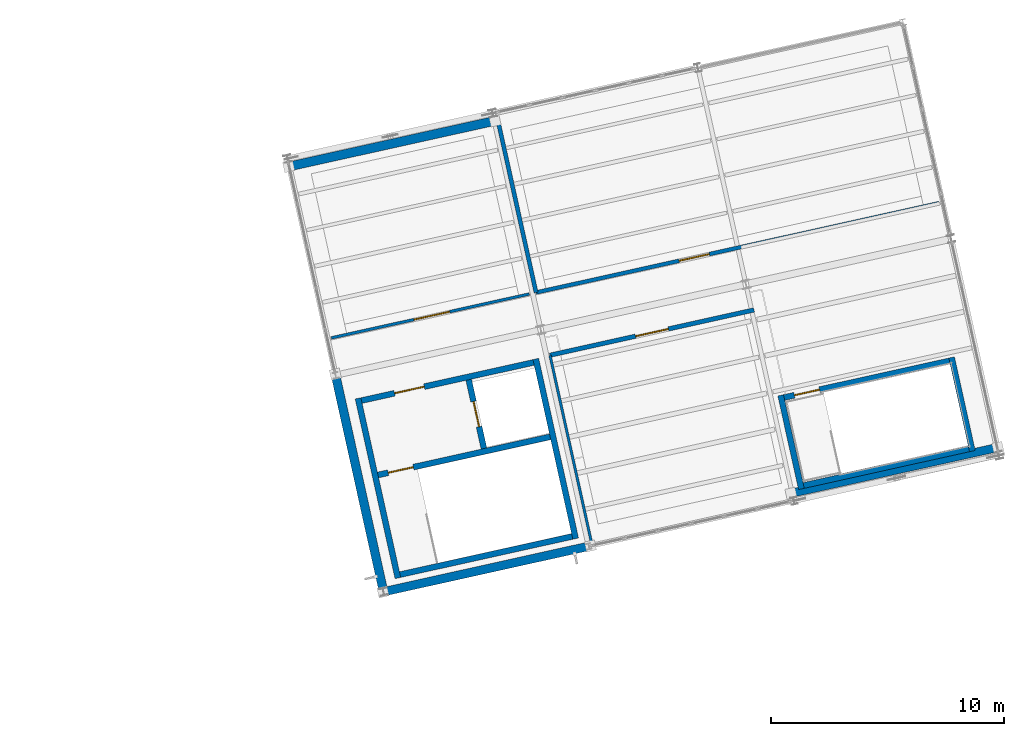
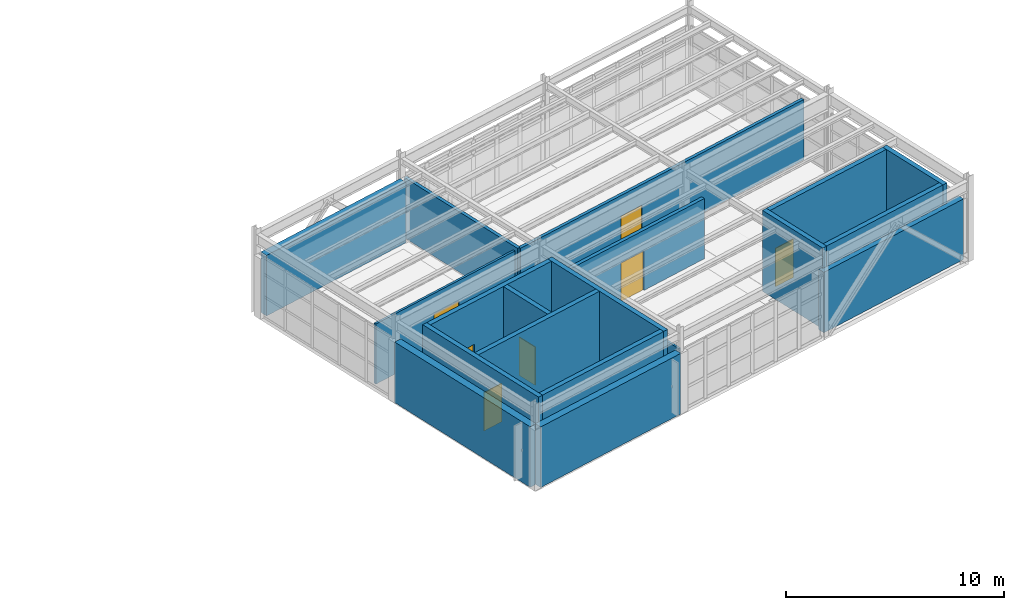
# One storey, part 49 of 59: 19 walls, 7 doors, 7 openings.
"""IFC4 building model written with IfcOpenShell, lengths in metres."""

from ifc_helpers import new_model, si_unit, direction, frame, frame_2d, origin, origin_with_axes, place, context, subcontext, project, spatial, rectangle, extrude, material, layer, layer_set, type_object, element, fill, save


model = new_model("IFC4")

# Units and contexts
model_context = context("Model", 3, precision=1e-05, world=origin(), true_north=direction((0.0, 1.0)))
body_context = subcontext(model_context, "Body", "Model", "MODEL_VIEW")
ifc_project = project(units=[si_unit("LENGTHUNIT", "METRE"), si_unit("AREAUNIT", "SQUARE_METRE"), si_unit("VOLUMEUNIT", "CUBIC_METRE"), si_unit("PLANEANGLEUNIT", "RADIAN"), si_unit("MASSUNIT", "GRAM", prefix="KILO")], contexts=[model_context])

# Site, building, storey
site_placement = place(None, origin())
site = spatial("IfcSite", under=ifc_project, at=site_placement, CompositionType="ELEMENT")
building_placement = place(site_placement, origin())
building = spatial("IfcBuilding", under=site, at=building_placement, Name="Vireo Bluff Cable Station", CompositionType="ELEMENT")
storey_placement = place(building_placement, frame((0.0, 0.0, 14.39990234375)))
storey = spatial("IfcBuildingStorey", under=building, at=storey_placement, Name="L03", CompositionType="ELEMENT", Elevation=14.39990234375)

# Walls
ifc_material_1 = material(Name="Precast concrete f'c 45 MPa", Category="concrete")
ifc_layer_1 = layer(ifc_material_1, 0.360107421875, Name="Precast concrete f'c 45 MPa")
ifc_layer_set_1 = layer_set([ifc_layer_1], Name="Precast concrete f'c 45 MPa")
wall_type_1 = type_object("IfcWallType", Name="EW-PRECAST-360", PredefinedType="SOLIDWALL", material=ifc_layer_set_1)
wall_1_placement = place(storey_placement, frame((158.864990234375, 91.364990234375, 0.0), z_axis=(0.0, 0.0, 1.0), x_axis=(-0.976293061479, -0.216452900438, 0.0)))
element("IfcWall", 1, at=wall_1_placement, inside=storey, type_object=wall_type_1, Name="V2 L03 south exterior wall 43", PredefinedType="SOLIDWALL", context=body_context, shape_type="SweptSolid", body=[
    extrude(rectangle(XDim=8.71533203125, YDim=0.360107421875, at=frame_2d((4.357666015625, 0.0))), origin(), (0.0, 0.0, 1.0), 3.400146484375),
])
ifc_layer_2 = layer(ifc_material_1, 0.3701171875, Name="Precast concrete f'c 45 MPa")
ifc_layer_set_2 = layer_set([ifc_layer_2], Name="Precast concrete f'c 45 MPa")
wall_type_2 = type_object("IfcWallType", Name="EW-PRECAST-370", PredefinedType="SOLIDWALL", material=ifc_layer_set_2)
wall_2_placement = place(storey_placement, frame((141.41552734375, 87.148193359375, 0.0), z_axis=(0.0, 0.0, 1.0), x_axis=(-0.976293402202, -0.21645136363, 0.0)))
element("IfcWall", 2, at=wall_2_placement, inside=storey, type_object=wall_type_2, Name="V2 L03 south exterior wall 44", PredefinedType="SOLIDWALL", context=body_context, shape_type="SweptSolid", body=[
    extrude(rectangle(XDim=8.741455078125, YDim=0.3701171875, at=frame_2d((4.37060546875, 0.0))), origin(), (0.0, 0.0, 1.0), 3.400146484375),
])
ifc_layer_3 = layer(ifc_material_1, 0.3798828125, Name="Precast concrete f'c 45 MPa")
ifc_layer_set_3 = layer_set([ifc_layer_3], Name="Precast concrete f'c 45 MPa")
wall_type_3 = type_object("IfcWallType", Name="EW-PRECAST-380", PredefinedType="SOLIDWALL", material=ifc_layer_set_3)
wall_3_placement = place(storey_placement, frame((132.69677734375, 85.37451171875, 0.0), z_axis=(0.0, 0.0, 1.0), x_axis=(-0.216439489459, 0.976296034716, 0.0)))
element("IfcWall", 3, at=wall_3_placement, inside=storey, type_object=wall_type_3, Name="V2 L03 west exterior wall 45", PredefinedType="SOLIDWALL", context=body_context, shape_type="SweptSolid", body=[
    extrude(rectangle(XDim=9.214599609375, YDim=0.3798828125, at=frame_2d((4.607421875, 0.0))), origin(), (0.0, 0.0, 1.0), 3.400146484375),
])
ifc_layer_4 = layer(ifc_material_1, 0.389892578125, Name="Precast concrete f'c 45 MPa")
ifc_layer_set_4 = layer_set([ifc_layer_4], Name="Precast concrete f'c 45 MPa")
wall_type_4 = type_object("IfcWallType", Name="EW-PRECAST-390", PredefinedType="SOLIDWALL", material=ifc_layer_set_4)
wall_4_placement = place(storey_placement, frame((128.842529296875, 103.473876953125, 0.0), z_axis=(0.0, 0.0, 1.0), x_axis=(0.976296667385, 0.216436635652, 0.0)))
element("IfcWall", 4, at=wall_4_placement, inside=storey, type_object=wall_type_4, Name="V2 L03 north exterior wall 46", PredefinedType="SOLIDWALL", context=body_context, shape_type="SweptSolid", body=[
    extrude(rectangle(XDim=8.690185546875, YDim=0.389892578125, at=frame_2d((4.34521484375, 0.0))), origin(), (0.0, 0.0, 1.0), 3.400146484375),
])
ifc_material_2 = material(Name="Fire-Rated Gypsum Board Partition")
ifc_layer_5 = layer(ifc_material_2, 0.110107421875, Name="Fire-Rated Gypsum Board Partition")
ifc_layer_set_5 = layer_set([ifc_layer_5], Name="Fire-Rated Gypsum Board Partition")
wall_type_5 = type_object("IfcWallType", Name="PT-1HR-110", PredefinedType="PARTITIONING", material=ifc_layer_set_5)
wall_5_placement = place(storey_placement, frame((141.626708984375, 87.369140625, 0.0), z_axis=(0.0, 0.0, 1.0), x_axis=(-0.216415316081, 0.976301393508, 0.0)))
element("IfcWall", 5, at=wall_5_placement, inside=storey, type_object=wall_type_5, Name="V2 L03 Bullwheel Overlook Gallery W partition", PredefinedType="PARTITIONING", context=body_context, shape_type="SweptSolid", body=[
    extrude(rectangle(XDim=8.179931640625, YDim=0.110107421875, at=frame_2d((4.08984375, 0.0))), origin(), (0.0, 0.0, 1.0), 3.380126953125),
])

# Wall, opening, door
ifc_layer_6 = layer(ifc_material_2, 0.1201171875, Name="Fire-Rated Gypsum Board Partition")
ifc_layer_set_6 = layer_set([ifc_layer_6], Name="Fire-Rated Gypsum Board Partition")
wall_type_6 = type_object("IfcWallType", Name="PT-1HR-120", PredefinedType="PARTITIONING", material=ifc_layer_set_6)
wall_6_placement = place(storey_placement, frame((138.96826171875, 97.97509765625, 0.0), z_axis=(0.0, 0.0, 1.0), x_axis=(-0.976297453924, -0.216433087723, 0.0)))
wall_6 = element("IfcWall", 6, at=wall_6_placement, inside=storey, type_object=wall_type_6, Name="V2 L03 Drive Telemetry Switch Room S partition", PredefinedType="PARTITIONING", context=body_context, shape_type="SweptSolid", body=[
    extrude(rectangle(XDim=8.68017578125, YDim=0.1201171875, at=frame_2d((4.340087890625, 0.0))), origin(), (0.0, 0.0, 1.0), 3.380126953125),
])
opening_1_placement = place(wall_6_placement, frame((3.4951171875, 0.0, 0.0)))
opening_1 = element("IfcOpeningElement", 7, at=opening_1_placement, cuts=wall_6, Name="Opening D-0074", PredefinedType="OPENING", context=body_context, shape_type="SweptSolid", body=[
    extrude(rectangle(XDim=1.56005859375, YDim=2.219970703125, at=frame_2d((0.780029296875, 1.10986328125))), frame((0.0, 0.070068359375, 0.0), z_axis=(0.0, -1.0, 0.0), x_axis=(1.0, 0.0, 0.0)), (0.0, 0.0, 1.0), 0.14013671875),
])
ifc_material_3 = material(Name="Anodized Aluminium 6063-T6", Category="aluminium")
door_type_1 = type_object("IfcDoorType", Name="IDOOR60-1560X2220", OperationType="NOTDEFINED", PredefinedType="DOOR", material=ifc_material_3)
door_1_placement = place(opening_1_placement, origin_with_axes())
door_1 = element("IfcDoor", 8, at=door_1_placement, inside=storey, type_object=door_type_1, Name="V2 L03 Drive Telemetry Switch Room door D-0074", OperationType="DOUBLE_DOOR_SINGLE_SWING", OverallHeight=2.219970703125, OverallWidth=1.56005859375, PredefinedType="DOOR", context=body_context, shape_type="SweptSolid", body=[
    extrude(rectangle(XDim=1.56005859375, YDim=2.219970703125, at=frame_2d((0.780029296875, 1.10986328125))), frame((0.0, 0.02490234375, 0.0), z_axis=(0.0, -1.0, 0.0), x_axis=(1.0, 0.0, 0.0)), (0.0, 0.0, 1.0), 0.050048828125),
])
fill(opening_1, door_1)

ifc_layer_7 = layer(ifc_material_2, 0.1650390625, Name="Fire-Rated Gypsum Board Partition")
ifc_layer_set_7 = layer_set([ifc_layer_7], Name="Fire-Rated Gypsum Board Partition")
wall_type_7 = type_object("IfcWallType", Name="PT-1HR-165", PredefinedType="PARTITIONING", material=ifc_layer_set_7)
wall_7_placement = place(storey_placement, frame((156.52197265625, 101.86669921875, 0.0), z_axis=(0.0, 0.0, 1.0), x_axis=(-0.976295460433, -0.21644207987, 0.0)))
wall_7 = element("IfcWall", 9, at=wall_7_placement, inside=storey, type_object=wall_type_7, Name="V2 L03 Rescue Winch and Rope Splice Hall S partition", PredefinedType="PARTITIONING", context=body_context, shape_type="SweptSolid", body=[
    extrude(rectangle(XDim=17.679931640625, YDim=0.1650390625, at=frame_2d((8.83984375, 0.0))), origin(), (0.0, 0.0, 1.0), 3.380126953125),
])
opening_2_placement = place(wall_7_placement, frame((10.084716796875, 0.0, 0.0)))
opening_2 = element("IfcOpeningElement", 10, at=opening_2_placement, cuts=wall_7, Name="Opening D-0072", PredefinedType="OPENING", context=body_context, shape_type="SweptSolid", body=[
    extrude(rectangle(XDim=1.320068359375, YDim=2.219970703125, at=frame_2d((0.66015625, 1.10986328125))), frame((0.0, 0.092529296875, 0.0), z_axis=(0.0, -1.0, 0.0), x_axis=(1.0, 0.0, 0.0)), (0.0, 0.0, 1.0), 0.18505859375),
])
door_type_2 = type_object("IfcDoorType", Name="IDOOR60-1320X2220", OperationType="NOTDEFINED", PredefinedType="DOOR", material=ifc_material_3)
door_2_placement = place(opening_2_placement, origin_with_axes())
door_2 = element("IfcDoor", 11, at=door_2_placement, inside=storey, type_object=door_type_2, Name="V2 L03 Rescue Winch and Rope Splice Hall door D-0072", OperationType="SINGLE_SWING_LEFT", OverallHeight=2.219970703125, OverallWidth=1.320068359375, PredefinedType="DOOR", context=body_context, shape_type="SweptSolid", body=[
    extrude(rectangle(XDim=1.320068359375, YDim=2.219970703125, at=frame_2d((0.66015625, 1.10986328125))), frame((0.0, 0.02490234375, 0.0), z_axis=(0.0, -1.0, 0.0), x_axis=(1.0, 0.0, 0.0)), (0.0, 0.0, 1.0), 0.050048828125),
])
fill(opening_2, door_2)

# Wall
ifc_layer_8 = layer(ifc_material_2, 0.175048828125, Name="Fire-Rated Gypsum Board Partition")
ifc_layer_set_8 = layer_set([ifc_layer_8], Name="Fire-Rated Gypsum Board Partition")
wall_type_8 = type_object("IfcWallType", Name="PT-1HR-175", PredefinedType="PARTITIONING", material=ifc_layer_set_8)
wall_8_placement = place(storey_placement, frame((139.26123046875, 98.0400390625, 0.0), z_axis=(0.0, 0.0, 1.0), x_axis=(-0.216438848958, 0.976296176712, 0.0)))
element("IfcWall", 12, at=wall_8_placement, inside=storey, type_object=wall_type_8, Name="V2 L03 Rescue Winch and Rope Splice Hall W partition", PredefinedType="PARTITIONING", context=body_context, shape_type="SweptSolid", body=[
    extrude(rectangle(XDim=7.730224609375, YDim=0.175048828125, at=frame_2d((3.865234375, 0.0))), origin(), (0.0, 0.0, 1.0), 3.380126953125),
])

# Wall, opening, door
ifc_layer_9 = layer(ifc_material_2, 0.18994140625, Name="Fire-Rated Gypsum Board Partition")
ifc_layer_set_9 = layer_set([ifc_layer_9], Name="Fire-Rated Gypsum Board Partition")
wall_type_9 = type_object("IfcWallType", Name="PT-1HR-190", PredefinedType="PARTITIONING", material=ifc_layer_set_9)
wall_9_placement = place(storey_placement, frame((139.8564453125, 95.355224609375, 0.0), z_axis=(0.0, 0.0, 1.0), x_axis=(0.976292848113, 0.216453862805, 0.0)))
wall_9 = element("IfcWall", 13, at=wall_9_placement, inside=storey, type_object=wall_type_9, Name="V2 L03 Bullwheel Overlook Gallery N partition", PredefinedType="PARTITIONING", context=body_context, shape_type="SweptSolid", body=[
    extrude(rectangle(XDim=8.949951171875, YDim=0.18994140625, at=frame_2d((4.47509765625, 0.0))), origin(), (0.0, 0.0, 1.0), 3.380126953125),
])
opening_3_placement = place(wall_9_placement, frame((3.7548828125, 0.0, 0.0)))
opening_3 = element("IfcOpeningElement", 14, at=opening_3_placement, cuts=wall_9, Name="Opening D-0073", PredefinedType="OPENING", context=body_context, shape_type="SweptSolid", body=[
    extrude(rectangle(XDim=1.43994140625, YDim=2.219970703125, at=frame_2d((0.719970703125, 1.10986328125))), frame((0.0, 0.10498046875, 0.0), z_axis=(0.0, -1.0, 0.0), x_axis=(1.0, 0.0, 0.0)), (0.0, 0.0, 1.0), 0.2099609375),
])
door_type_3 = type_object("IfcDoorType", Name="IDOOR60-1440X2220", OperationType="NOTDEFINED", PredefinedType="DOOR", material=ifc_material_3)
door_3_placement = place(opening_3_placement, origin_with_axes())
door_3 = element("IfcDoor", 15, at=door_3_placement, inside=storey, type_object=door_type_3, Name="V2 L03 Bullwheel Overlook Gallery door D-0073", OperationType="SINGLE_SWING_RIGHT", OverallHeight=2.219970703125, OverallWidth=1.43994140625, PredefinedType="DOOR", context=body_context, shape_type="SweptSolid", body=[
    extrude(rectangle(XDim=1.43994140625, YDim=2.219970703125, at=frame_2d((0.719970703125, 1.10986328125))), frame((0.0, 0.02490234375, 0.0), z_axis=(0.0, -1.0, 0.0), x_axis=(1.0, 0.0, 0.0)), (0.0, 0.0, 1.0), 0.050048828125),
])
fill(opening_3, door_3)

# Walls
ifc_material_4 = material(Name="Concrete f'c 40 MPa", Category="concrete")
ifc_layer_10 = layer(ifc_material_4, 0.25, Name="Concrete f'c 40 MPa")
ifc_layer_set_10 = layer_set([ifc_layer_10], Name="Concrete f'c 40 MPa")
wall_type_10 = type_object("IfcWallType", Name="SW-CORE-250", PredefinedType="SHEAR", material=ifc_layer_set_10)
for number, where, z_axis, x_axis, name in (
    (16, (133.343017578125, 85.809326171875, 0.0), (0.0, 0.0, 1.0), (-0.216432105695, 0.976297671627, 0.0), "CORE-4 L03 core W shear wall"),
    (17, (140.958251953125, 87.49755859375, 0.0), (0.0, 0.0, 1.0), (-0.216461618103, 0.976291128654, 0.0), "CORE-4 L03 core E shear wall"),
):
    element("IfcWall", number, at=place(storey_placement, frame(where, z_axis=z_axis, x_axis=x_axis)), inside=storey, type_object=wall_type_10, Name=name, PredefinedType="SHEAR", context=body_context, shape_type="SweptSolid", body=[
        extrude(rectangle(XDim=7.885009765625, YDim=0.25, at=frame_2d((3.9423828125, 0.0))), origin(), (0.0, 0.0, 1.0), 4.5400390625),
    ])
wall_10_placement = place(storey_placement, frame((133.43798828125, 85.958251953125, 0.0), z_axis=(0.0, 0.0, 1.0), x_axis=(0.976291943102, 0.216457944725, 0.0)))
element("IfcWall", 18, at=wall_10_placement, inside=storey, type_object=wall_type_10, Name="CORE-4 L03 stair shaft south shear wall", PredefinedType="SHEAR", context=body_context, shape_type="SweptSolid", body=[
    extrude(rectangle(XDim=7.550048828125, YDim=0.25, at=frame_2d((3.77490234375, 0.0))), origin(), (0.0, 0.0, 1.0), 4.5400390625),
])

# Wall, opening, door
wall_11_placement = place(storey_placement, frame((139.86328125, 91.85888671875, 0.0), z_axis=(0.0, 0.0, 1.0), x_axis=(-0.97629877613, -0.216427123365, 0.0)))
wall_11 = element("IfcWall", 19, at=wall_11_placement, inside=storey, type_object=wall_type_10, Name="CORE-4 L03 stair shaft north shear wall", PredefinedType="SHEAR", context=body_context, shape_type="SweptSolid", body=[
    extrude(rectangle(XDim=7.550048828125, YDim=0.25, at=frame_2d((3.77490234375, 0.0))), origin(), (0.0, 0.0, 1.0), 4.5400390625),
])
opening_4_placement = place(wall_11_placement, frame((6.0, 0.0, 0.0)))
opening_4 = element("IfcOpeningElement", 20, at=opening_4_placement, cuts=wall_11, Name="Opening SD-031", PredefinedType="OPENING", context=body_context, shape_type="SweptSolid", body=[
    extrude(rectangle(XDim=1.10009765625, YDim=2.14990234375, at=frame_2d((0.550048828125, 1.074951171875))), frame((0.0, 0.135009765625, 0.0), z_axis=(0.0, -1.0, 0.0), x_axis=(1.0, 0.0, 0.0)), (0.0, 0.0, 1.0), 0.27001953125),
])
ifc_material_5 = material(Name="Stainless Steel 316", Category="steel")
door_type_4 = type_object("IfcDoorType", Name="IDOOR90-1100X2150", OperationType="NOTDEFINED", PredefinedType="DOOR", material=ifc_material_5)
door_4_placement = place(opening_4_placement, origin_with_axes())
door_4 = element("IfcDoor", 21, at=door_4_placement, inside=storey, type_object=door_type_4, Name="CORE-4 L03 stair fire door SD-031", OperationType="SINGLE_SWING_RIGHT", OverallHeight=2.14990234375, OverallWidth=1.10009765625, PredefinedType="DOOR", context=body_context, shape_type="SweptSolid", body=[
    extrude(rectangle(XDim=1.10009765625, YDim=2.14990234375, at=frame_2d((0.550048828125, 1.074951171875))), frame((0.0, 0.02490234375, 0.0), z_axis=(0.0, -1.0, 0.0), x_axis=(1.0, 0.0, 0.0)), (0.0, 0.0, 1.0), 0.050048828125),
])
fill(opening_4, door_4)

wall_12_placement = place(storey_placement, frame((139.156494140625, 95.04638671875, 0.0), z_axis=(0.0, 0.0, 1.0), x_axis=(-0.976297261401, -0.216433956164, 0.0)))
wall_12 = element("IfcWall", 22, at=wall_12_placement, inside=storey, type_object=wall_type_10, Name="CORE-4 L03 core north shear wall", PredefinedType="SHEAR", context=body_context, shape_type="SweptSolid", body=[
    extrude(rectangle(XDim=7.5498046875, YDim=0.25, at=frame_2d((3.77490234375, 0.0))), origin(), (0.0, 0.0, 1.0), 4.5400390625),
])
opening_5_placement = place(wall_12_placement, frame((4.800048828125, 0.0, 0.0)))
opening_5 = element("IfcOpeningElement", 23, at=opening_5_placement, cuts=wall_12, Name="Opening FD-032", PredefinedType="OPENING", context=body_context, shape_type="SweptSolid", body=[
    extrude(rectangle(XDim=1.300048828125, YDim=2.14990234375, at=frame_2d((0.64990234375, 1.074951171875))), frame((0.0, 0.135009765625, 0.0), z_axis=(0.0, -1.0, 0.0), x_axis=(1.0, 0.0, 0.0)), (0.0, 0.0, 1.0), 0.27001953125),
])
door_type_5 = type_object("IfcDoorType", Name="IDOOR90-1300X2150", OperationType="NOTDEFINED", PredefinedType="DOOR", material=ifc_material_5)
door_5_placement = place(opening_5_placement, origin_with_axes())
door_5 = element("IfcDoor", 24, at=door_5_placement, inside=storey, type_object=door_type_5, Name="CORE-4 L03 firefighting lobby door FD-032", OperationType="SINGLE_SWING_LEFT", OverallHeight=2.14990234375, OverallWidth=1.300048828125, PredefinedType="DOOR", context=body_context, shape_type="SweptSolid", body=[
    extrude(rectangle(XDim=1.300048828125, YDim=2.14990234375, at=frame_2d((0.64990234375, 1.074951171875))), frame((0.0, 0.02490234375, 0.0), z_axis=(0.0, -1.0, 0.0), x_axis=(1.0, 0.0, 0.0)), (0.0, 0.0, 1.0), 0.050048828125),
])
fill(opening_5, door_5)

wall_13_placement = place(storey_placement, frame((137.029296875, 91.358642578125, 0.0), z_axis=(0.0, 0.0, 1.0), x_axis=(-0.216441732724, 0.976295537394, 0.0)))
wall_13 = element("IfcWall", 25, at=wall_13_placement, inside=storey, type_object=wall_type_10, Name="CORE-4 L03 lift shaft front wall", PredefinedType="SHEAR", context=body_context, shape_type="SweptSolid", body=[
    extrude(rectangle(XDim=3.01513671875, YDim=0.25, at=frame_2d((1.507568359375, 0.0))), origin(), (0.0, 0.0, 1.0), 4.5400390625),
])
opening_6_placement = place(wall_13_placement, frame((0.95751953125, 0.0, 0.0)))
opening_6 = element("IfcOpeningElement", 26, at=opening_6_placement, cuts=wall_13, Name="Opening LD-016", PredefinedType="OPENING", context=body_context, shape_type="SweptSolid", body=[
    extrude(rectangle(XDim=1.10009765625, YDim=2.14990234375, at=frame_2d((0.550048828125, 1.074951171875))), frame((0.0, 0.135009765625, 0.0), z_axis=(0.0, -1.0, 0.0), x_axis=(1.0, 0.0, 0.0)), (0.0, 0.0, 1.0), 0.27001953125),
])
door_type_6 = type_object("IfcDoorType", Name="LIFTDOOR-1100X2150", OperationType="DOUBLE_DOOR_SLIDING", PredefinedType="DOOR", material=ifc_material_5)
door_6_placement = place(opening_6_placement, origin_with_axes())
door_6 = element("IfcDoor", 27, at=door_6_placement, inside=storey, type_object=door_type_6, Name="CORE-4 L03 lift sliding landing door LD-016", OperationType="DOUBLE_DOOR_SLIDING", OverallHeight=2.14990234375, OverallWidth=1.10009765625, PredefinedType="DOOR", context=body_context, shape_type="SweptSolid", body=[
    extrude(rectangle(XDim=1.10009765625, YDim=2.14990234375, at=frame_2d((0.550048828125, 1.074951171875))), frame((0.0, 0.02490234375, 0.0), z_axis=(0.0, -1.0, 0.0), x_axis=(1.0, 0.0, 0.0)), (0.0, 0.0, 1.0), 0.050048828125),
])
fill(opening_6, door_6)

# Walls
for number, where, z_axis, x_axis, name in (
    (28, (150.626708984375, 89.62548828125, 0.0), (0.0, 0.0, 1.0), (-0.216395821283, 0.976305714687, 0.0), "ST09 L03 stair shaft W wall"),
    (29, (157.948974609375, 91.248779296875, 0.0), (0.0, 0.0, 1.0), (-0.216452439083, 0.976293163765, 0.0), "ST09 L03 stair shaft E wall"),
):
    element("IfcWall", number, at=place(storey_placement, frame(where, z_axis=z_axis, x_axis=x_axis)), inside=storey, type_object=wall_type_10, Name=name, PredefinedType="SHEAR", context=body_context, shape_type="SweptSolid", body=[
        extrude(rectangle(XDim=4.110107421875, YDim=0.25, at=frame_2d((2.05517578125, 0.0))), origin(), (0.0, 0.0, 1.0), 4.5400390625),
    ])
wall_14_placement = place(storey_placement, frame((150.7216796875, 89.774658203125, 0.0), z_axis=(0.0, 0.0, 1.0), x_axis=(0.976291535808, 0.216459781739, 0.0)))
element("IfcWall", 30, at=wall_14_placement, inside=storey, type_object=wall_type_10, Name="ST09 L03 stair shaft S wall", PredefinedType="SHEAR", context=body_context, shape_type="SweptSolid", body=[
    extrude(rectangle(XDim=7.25, YDim=0.25, at=frame_2d((3.625, 0.0))), origin(), (0.0, 0.0, 1.0), 4.5400390625),
])

# Wall, opening, door
wall_15_placement = place(storey_placement, frame((156.96435546875, 95.1123046875, 0.0), z_axis=(0.0, 0.0, 1.0), x_axis=(-0.976298651695, -0.216427684687, 0.0)))
wall_15 = element("IfcWall", 31, at=wall_15_placement, inside=storey, type_object=wall_type_10, Name="ST09 L03 stair shaft north wall", PredefinedType="SHEAR", context=body_context, shape_type="SweptSolid", body=[
    extrude(rectangle(XDim=7.25, YDim=0.25, at=frame_2d((3.625, 0.0))), origin(), (0.0, 0.0, 1.0), 4.5400390625),
])
opening_7_placement = place(wall_15_placement, frame((5.699951171875, 0.0, 0.0)))
opening_7 = element("IfcOpeningElement", 32, at=opening_7_placement, cuts=wall_15, Name="Opening SD-039", PredefinedType="OPENING", context=body_context, shape_type="SweptSolid", body=[
    extrude(rectangle(XDim=1.10009765625, YDim=2.14990234375, at=frame_2d((0.550048828125, 1.074951171875))), frame((0.0, 0.135009765625, 0.0), z_axis=(0.0, -1.0, 0.0), x_axis=(1.0, 0.0, 0.0)), (0.0, 0.0, 1.0), 0.27001953125),
])
door_7_placement = place(opening_7_placement, origin_with_axes())
door_7 = element("IfcDoor", 33, at=door_7_placement, inside=storey, type_object=door_type_4, Name="ST09 L03 stair fire door SD-039", OperationType="SINGLE_SWING_LEFT", OverallHeight=2.14990234375, OverallWidth=1.10009765625, PredefinedType="DOOR", context=body_context, shape_type="SweptSolid", body=[
    extrude(rectangle(XDim=1.10009765625, YDim=2.14990234375, at=frame_2d((0.550048828125, 1.074951171875))), frame((0.0, 0.02490234375, 0.0), z_axis=(0.0, -1.0, 0.0), x_axis=(1.0, 0.0, 0.0)), (0.0, 0.0, 1.0), 0.050048828125),
])
fill(opening_7, door_7)

save(model, "model.ifc")
